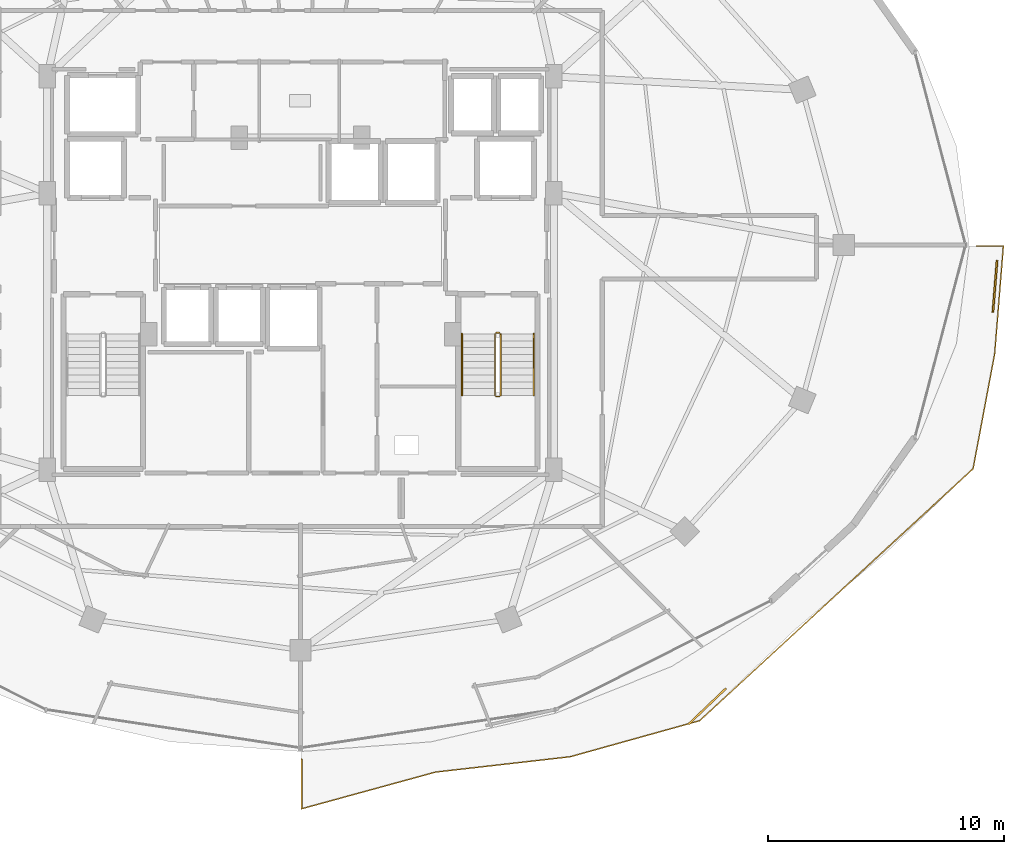
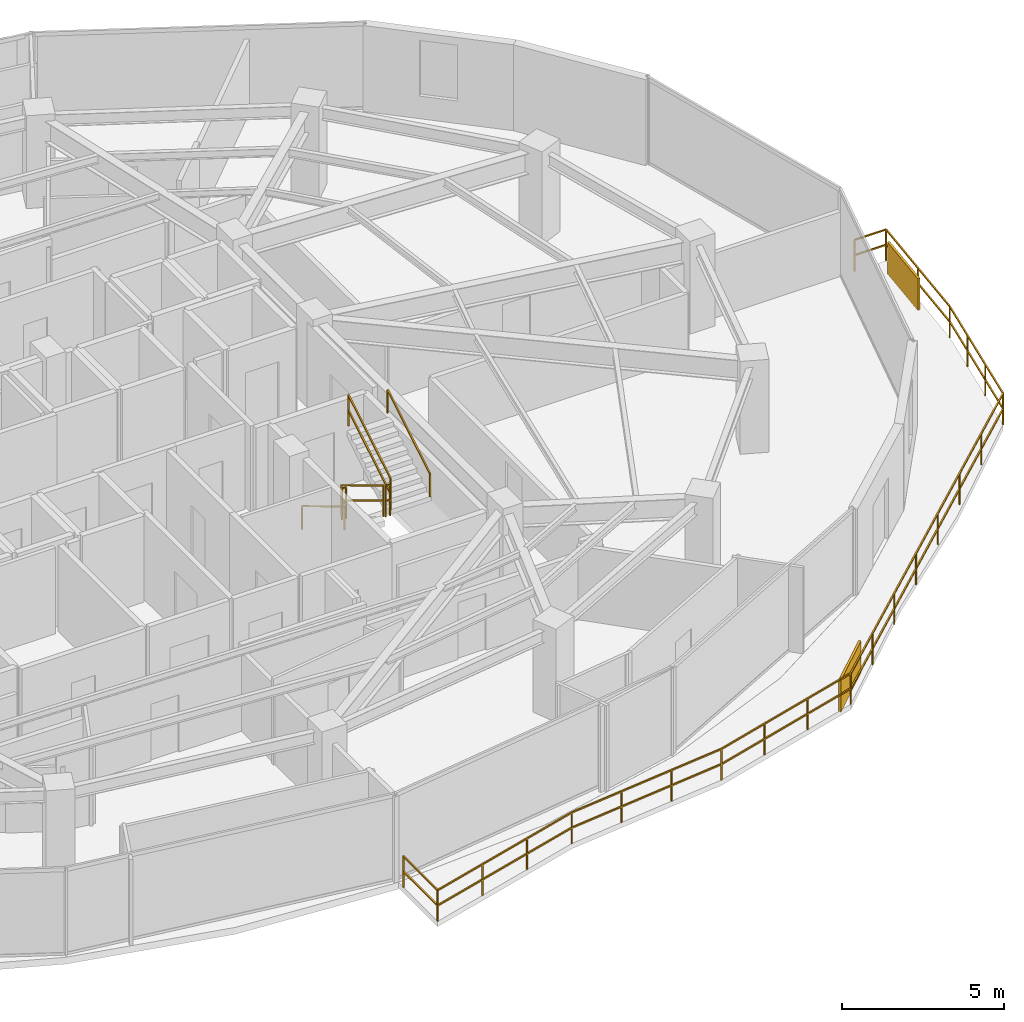
# One storey, part 31 of 33: 8 railings, 2 shading devices.
"""IFC4 building model written with IfcOpenShell, lengths in metres."""

from ifc_helpers import new_model, si_unit, direction, frame, origin, origin_2d, place, context, subcontext, project, spatial, rectangle, extrude, material, type_object, element, save


model = new_model("IFC4")

# Units and contexts
model_context = context("Model", 3, precision=1e-05, world=origin(), true_north=direction((0.0, 1.0)))
body_context = subcontext(model_context, "Body", "Model", "MODEL_VIEW")
ifc_project = project(units=[si_unit("LENGTHUNIT", "METRE"), si_unit("AREAUNIT", "SQUARE_METRE"), si_unit("VOLUMEUNIT", "CUBIC_METRE"), si_unit("PLANEANGLEUNIT", "RADIAN"), si_unit("MASSUNIT", "GRAM", prefix="KILO")], contexts=[model_context])

# Site, building, storey
site_placement = place(None, origin())
site = spatial("IfcSite", under=ifc_project, at=site_placement, CompositionType="ELEMENT")
building_placement = place(site_placement, origin())
building = spatial("IfcBuilding", under=site, at=building_placement, Name="Vorneva Point Tower", CompositionType="ELEMENT")
storey_placement = place(building_placement, frame((0.0, 0.0, 196.60009765625)))
storey = spatial("IfcBuildingStorey", under=building, at=storey_placement, Name="L53", CompositionType="ELEMENT", Elevation=196.60009765625)

# Railings
ifc_material_1 = material(Name="Pale anodised aluminium", Category="aluminium")
railing_type_1 = type_object("IfcRailingType", Name="RL-BAL-1200", PredefinedType="BALUSTRADE", material=ifc_material_1)
railing_1_placement = place(storey_placement, frame((67.461669921875, 21.37841796875, 0.0)))
element("IfcRailing", 1, at=railing_1_placement, inside=storey, type_object=railing_type_1, Name="L53 Wave Balcony Balustrade SE.1", PredefinedType="BALUSTRADE", context=body_context, shape_type="SweptSolid", body=[
    extrude(rectangle(XDim=0.048095703125, YDim=0.048095703125, at=origin_2d()), frame((0.0, 0.0, 1.17578125), z_axis=(0.080538585154, 0.996751491748, 0.0), x_axis=(-0.996751491748, 0.080538585154, 0.0)), (0.0, 0.0, 1.0), 4.58642578125),
    extrude(rectangle(XDim=0.048095703125, YDim=0.048095703125, at=origin_2d()), frame((0.0, 0.0, 0.60009765625), z_axis=(0.080538585154, 0.996751491748, 0.0), x_axis=(-0.996751491748, 0.080538585154, 0.0)), (0.0, 0.0, 1.0), 4.58642578125),
    extrude(rectangle(XDim=0.048095703125, YDim=0.048095703125, at=origin_2d()), frame((0.369384765625, 4.571533203125, 1.17578125), z_axis=(-1.0, 0.0, 0.0), x_axis=(0.0, -1.0, 0.0)), (0.0, 0.0, 1.0), 1.134765625),
    extrude(rectangle(XDim=0.048095703125, YDim=0.048095703125, at=origin_2d()), frame((0.369384765625, 4.571533203125, 0.60009765625), z_axis=(-1.0, 0.0, 0.0), x_axis=(0.0, -1.0, 0.0)), (0.0, 0.0, 1.0), 1.134765625),
    extrude(rectangle(XDim=0.0419921875, YDim=0.0419921875, at=origin_2d()), origin(), (0.0, 0.0, 1.0), 1.15185546875),
    extrude(rectangle(XDim=0.0419921875, YDim=0.0419921875, at=origin_2d()), frame((0.1845703125, 2.28564453125, 0.0)), (0.0, 0.0, 1.0), 1.15185546875),
    extrude(rectangle(XDim=0.0419921875, YDim=0.0419921875, at=origin_2d()), frame((0.369384765625, 4.571533203125, 0.0)), (0.0, 0.0, 1.0), 1.15185546875),
    extrude(rectangle(XDim=0.0419921875, YDim=0.0419921875, at=origin_2d()), frame((-0.765380859375, 4.571533203125, 0.0)), (0.0, 0.0, 1.0), 1.15185546875),
])
railing_2_placement = place(storey_placement, frame((38.050048828125, 4.182861328125, 0.0)))
element("IfcRailing", 2, at=railing_2_placement, inside=storey, type_object=railing_type_1, Name="L53 Wave Balcony Balustrade SE.2", PredefinedType="BALUSTRADE", context=body_context, shape_type="SweptSolid", body=[
    extrude(rectangle(XDim=0.048095703125, YDim=0.048095703125, at=origin_2d()), frame((0.0, 0.0, 1.17578125), z_axis=(0.0, -1.0, 0.0), x_axis=(1.0, 0.0, 0.0)), (0.0, 0.0, 1.0), 2.1142578125),
    extrude(rectangle(XDim=0.048095703125, YDim=0.048095703125, at=origin_2d()), frame((0.0, 0.0, 0.60009765625), z_axis=(0.0, -1.0, 0.0), x_axis=(1.0, 0.0, 0.0)), (0.0, 0.0, 1.0), 2.1142578125),
    extrude(rectangle(XDim=0.048095703125, YDim=0.048095703125, at=origin_2d()), frame((0.0, -2.1142578125, 1.17578125), z_axis=(0.964480133149, 0.264155395099, 0.0), x_axis=(-0.264155395099, 0.964480133149, 0.0)), (0.0, 0.0, 1.0), 5.89013671875),
    extrude(rectangle(XDim=0.048095703125, YDim=0.048095703125, at=origin_2d()), frame((0.0, -2.1142578125, 0.60009765625), z_axis=(0.964480133149, 0.264155395099, 0.0), x_axis=(-0.264155395099, 0.964480133149, 0.0)), (0.0, 0.0, 1.0), 5.89013671875),
    extrude(rectangle(XDim=0.048095703125, YDim=0.048095703125, at=origin_2d()), frame((5.680908203125, -0.558349609375, 1.17578125), z_axis=(0.993563835957, 0.113273579794, 0.0), x_axis=(-0.113273579794, 0.993563835957, 0.0)), (0.0, 0.0, 1.0), 5.75048828125),
    extrude(rectangle(XDim=0.048095703125, YDim=0.048095703125, at=origin_2d()), frame((5.680908203125, -0.558349609375, 0.60009765625), z_axis=(0.993563835957, 0.113273579794, 0.0), x_axis=(-0.113273579794, 0.993563835957, 0.0)), (0.0, 0.0, 1.0), 5.75048828125),
    extrude(rectangle(XDim=0.048095703125, YDim=0.048095703125, at=origin_2d()), frame((11.394287109375, 0.093017578125, 1.17578125), z_axis=(0.963324519058, 0.268339097005, 0.0), x_axis=(-0.268339097005, 0.963324519058, 0.0)), (0.0, 0.0, 1.0), 5.70458984375),
    extrude(rectangle(XDim=0.048095703125, YDim=0.048095703125, at=origin_2d()), frame((11.394287109375, 0.093017578125, 0.60009765625), z_axis=(0.963324519058, 0.268339097005, 0.0), x_axis=(-0.268339097005, 0.963324519058, 0.0)), (0.0, 0.0, 1.0), 5.70458984375),
    extrude(rectangle(XDim=0.048095703125, YDim=0.048095703125, at=origin_2d()), frame((16.8896484375, 1.623779296875, 1.17578125), z_axis=(0.735377309745, 0.677657887368, 0.0), x_axis=(-0.677657887368, 0.735377309745, 0.0)), (0.0, 0.0, 1.0), 15.78125),
    extrude(rectangle(XDim=0.048095703125, YDim=0.048095703125, at=origin_2d()), frame((16.8896484375, 1.623779296875, 0.60009765625), z_axis=(0.735377309745, 0.677657887368, 0.0), x_axis=(-0.677657887368, 0.735377309745, 0.0)), (0.0, 0.0, 1.0), 15.78125),
    extrude(rectangle(XDim=0.048095703125, YDim=0.048095703125, at=origin_2d()), frame((28.494873046875, 12.318115234375, 1.17578125), z_axis=(0.184722163798, 0.982790782518, 0.0), x_axis=(-0.982790782518, 0.184722163798, 0.0)), (0.0, 0.0, 1.0), 4.962890625),
    extrude(rectangle(XDim=0.048095703125, YDim=0.048095703125, at=origin_2d()), frame((28.494873046875, 12.318115234375, 0.60009765625), z_axis=(0.184722163798, 0.982790782518, 0.0), x_axis=(-0.982790782518, 0.184722163798, 0.0)), (0.0, 0.0, 1.0), 4.962890625),
    extrude(rectangle(XDim=0.0419921875, YDim=0.0419921875, at=origin_2d()), origin(), (0.0, 0.0, 1.0), 1.15185546875),
    extrude(rectangle(XDim=0.0419921875, YDim=0.0419921875, at=origin_2d()), frame((0.0, -2.1142578125, 0.0)), (0.0, 0.0, 1.0), 1.15185546875),
    extrude(rectangle(XDim=0.0419921875, YDim=0.0419921875, at=origin_2d()), frame((1.8935546875, -1.595703125, 0.0)), (0.0, 0.0, 1.0), 1.15185546875),
    extrude(rectangle(XDim=0.0419921875, YDim=0.0419921875, at=origin_2d()), frame((3.787353515625, -1.076904296875, 0.0)), (0.0, 0.0, 1.0), 1.15185546875),
    extrude(rectangle(XDim=0.0419921875, YDim=0.0419921875, at=origin_2d()), frame((5.680908203125, -0.558349609375, 0.0)), (0.0, 0.0, 1.0), 1.15185546875),
    extrude(rectangle(XDim=0.0419921875, YDim=0.0419921875, at=origin_2d()), frame((7.58544921875, -0.34130859375, 0.0)), (0.0, 0.0, 1.0), 1.15185546875),
    extrude(rectangle(XDim=0.0419921875, YDim=0.0419921875, at=origin_2d()), frame((9.48974609375, -0.1240234375, 0.0)), (0.0, 0.0, 1.0), 1.15185546875),
    extrude(rectangle(XDim=0.0419921875, YDim=0.0419921875, at=origin_2d()), frame((11.394287109375, 0.093017578125, 0.0)), (0.0, 0.0, 1.0), 1.15185546875),
    extrude(rectangle(XDim=0.0419921875, YDim=0.0419921875, at=origin_2d()), frame((13.22607421875, 0.603271484375, 0.0)), (0.0, 0.0, 1.0), 1.15185546875),
    extrude(rectangle(XDim=0.0419921875, YDim=0.0419921875, at=origin_2d()), frame((15.057861328125, 1.113525390625, 0.0)), (0.0, 0.0, 1.0), 1.15185546875),
    extrude(rectangle(XDim=0.0419921875, YDim=0.0419921875, at=origin_2d()), frame((16.8896484375, 1.623779296875, 0.0)), (0.0, 0.0, 1.0), 1.15185546875),
    extrude(rectangle(XDim=0.0419921875, YDim=0.0419921875, at=origin_2d()), frame((18.547607421875, 3.151611328125, 0.0)), (0.0, 0.0, 1.0), 1.15185546875),
    extrude(rectangle(XDim=0.0419921875, YDim=0.0419921875, at=origin_2d()), frame((20.205322265625, 4.67919921875, 0.0)), (0.0, 0.0, 1.0), 1.15185546875),
    extrude(rectangle(XDim=0.0419921875, YDim=0.0419921875, at=origin_2d()), frame((21.86328125, 6.20703125, 0.0)), (0.0, 0.0, 1.0), 1.15185546875),
    extrude(rectangle(XDim=0.0419921875, YDim=0.0419921875, at=origin_2d()), frame((23.521240234375, 7.73486328125, 0.0)), (0.0, 0.0, 1.0), 1.15185546875),
    extrude(rectangle(XDim=0.0419921875, YDim=0.0419921875, at=origin_2d()), frame((25.17919921875, 9.2626953125, 0.0)), (0.0, 0.0, 1.0), 1.15185546875),
    extrude(rectangle(XDim=0.0419921875, YDim=0.0419921875, at=origin_2d()), frame((26.8369140625, 10.790283203125, 0.0)), (0.0, 0.0, 1.0), 1.15185546875),
    extrude(rectangle(XDim=0.0419921875, YDim=0.0419921875, at=origin_2d()), frame((28.494873046875, 12.318115234375, 0.0)), (0.0, 0.0, 1.0), 1.15185546875),
    extrude(rectangle(XDim=0.0419921875, YDim=0.0419921875, at=origin_2d()), frame((28.800537109375, 13.94384765625, 0.0)), (0.0, 0.0, 1.0), 1.15185546875),
    extrude(rectangle(XDim=0.0419921875, YDim=0.0419921875, at=origin_2d()), frame((29.10595703125, 15.56982421875, 0.0)), (0.0, 0.0, 1.0), 1.15185546875),
    extrude(rectangle(XDim=0.0419921875, YDim=0.0419921875, at=origin_2d()), frame((29.41162109375, 17.195556640625, 0.0)), (0.0, 0.0, 1.0), 1.15185546875),
])
ifc_material_2 = material(Name="Brushed stainless steel S304", Category="steel")
railing_type_2 = type_object("IfcRailingType", Name="RL-HND-920", PredefinedType="HANDRAIL", material=ifc_material_2)
railing_3_placement = place(storey_placement, frame((44.85009765625, 22.219970703125, 0.1748046875)))
element("IfcRailing", 3, at=railing_3_placement, inside=storey, type_object=railing_type_2, Name="L53 ST2 stair handrail 1", PredefinedType="HANDRAIL", context=body_context, shape_type="SweptSolid", body=[
    extrude(rectangle(XDim=0.048095703125, YDim=0.048095703125, at=origin_2d()), frame((0.0, 0.0, 0.8759765625), z_axis=(0.0, -0.856147343639, 0.516731773728), x_axis=(1.0, 0.0, 0.0)), (0.0, 0.0, 1.0), 3.04833984375),
    extrude(rectangle(XDim=0.0419921875, YDim=0.0419921875, at=origin_2d()), origin(), (0.0, 0.0, 1.0), 0.851806640625),
    extrude(rectangle(XDim=0.0419921875, YDim=0.0419921875, at=origin_2d()), frame((0.0, -2.60986328125, 1.5751953125)), (0.0, 0.0, 1.0), 0.851806640625),
])
railing_4_placement = place(storey_placement, frame((47.89990234375, 19.610107421875, 1.9248046875)))
element("IfcRailing", 4, at=railing_4_placement, inside=storey, type_object=railing_type_2, Name="L53 ST2 stair handrail 2", PredefinedType="HANDRAIL", context=body_context, shape_type="SweptSolid", body=[
    extrude(rectangle(XDim=0.048095703125, YDim=0.048095703125, at=origin_2d()), frame((0.0, 0.0, 0.8759765625), z_axis=(0.0, 0.856147343639, 0.516731773728), x_axis=(-1.0, 0.0, 0.0)), (0.0, 0.0, 1.0), 3.04833984375),
    extrude(rectangle(XDim=0.0419921875, YDim=0.0419921875, at=origin_2d()), origin(), (0.0, 0.0, 1.0), 0.851806640625),
    extrude(rectangle(XDim=0.0419921875, YDim=0.0419921875, at=origin_2d()), frame((0.0, 2.60986328125, 1.5751953125)), (0.0, 0.0, 1.0), 0.851806640625),
])
railing_type_3 = type_object("IfcRailingType", Name="RL-STG-1100", PredefinedType="GUARDRAIL", material=ifc_material_2)
railing_5_placement = place(storey_placement, frame((46.25, 22.219970703125, 0.1748046875)))
element("IfcRailing", 5, at=railing_5_placement, inside=storey, type_object=railing_type_3, Name="L53 ST2 stair guard 1", PredefinedType="GUARDRAIL", context=body_context, shape_type="SweptSolid", body=[
    extrude(rectangle(XDim=0.048095703125, YDim=0.048095703125, at=origin_2d()), frame((0.0, 0.0, 1.17578125), z_axis=(0.0, -0.856147343639, 0.516731773728), x_axis=(1.0, 0.0, 0.0)), (0.0, 0.0, 1.0), 3.04833984375),
    extrude(rectangle(XDim=0.048095703125, YDim=0.048095703125, at=origin_2d()), frame((0.0, 0.0, 0.60009765625), z_axis=(0.0, -0.856147343639, 0.516731773728), x_axis=(1.0, 0.0, 0.0)), (0.0, 0.0, 1.0), 3.04833984375),
    extrude(rectangle(XDim=0.0419921875, YDim=0.0419921875, at=origin_2d()), origin(), (0.0, 0.0, 1.0), 1.15185546875),
    extrude(rectangle(XDim=0.0419921875, YDim=0.0419921875, at=origin_2d()), frame((0.0, -2.60986328125, 1.5751953125)), (0.0, 0.0, 1.0), 1.15185546875),
])
railing_6_placement = place(storey_placement, frame((46.300048828125, 19.56005859375, 1.75)))
element("IfcRailing", 6, at=railing_6_placement, inside=storey, type_object=railing_type_3, Name="L53 ST2 stair guard 2", PredefinedType="GUARDRAIL", context=body_context, shape_type="SweptSolid", body=[
    extrude(rectangle(XDim=0.048095703125, YDim=0.048095703125, at=origin_2d()), frame((0.0, 0.0, 1.17578125), z_axis=(1.0, 0.0, 0.0), x_axis=(0.0, 1.0, 0.0)), (0.0, 0.0, 1.0), 0.14990234375),
    extrude(rectangle(XDim=0.048095703125, YDim=0.048095703125, at=origin_2d()), frame((0.0, 0.0, 0.60009765625), z_axis=(1.0, 0.0, 0.0), x_axis=(0.0, 1.0, 0.0)), (0.0, 0.0, 1.0), 0.14990234375),
    extrude(rectangle(XDim=0.0419921875, YDim=0.0419921875, at=origin_2d()), origin(), (0.0, 0.0, 1.0), 1.15185546875),
    extrude(rectangle(XDim=0.0419921875, YDim=0.0419921875, at=origin_2d()), frame((0.14990234375, 0.0, 0.0)), (0.0, 0.0, 1.0), 1.15185546875),
])
railing_7_placement = place(storey_placement, frame((46.5, 19.610107421875, 1.9248046875)))
element("IfcRailing", 7, at=railing_7_placement, inside=storey, type_object=railing_type_3, Name="L53 ST2 stair guard 3", PredefinedType="GUARDRAIL", context=body_context, shape_type="SweptSolid", body=[
    extrude(rectangle(XDim=0.048095703125, YDim=0.048095703125, at=origin_2d()), frame((0.0, 0.0, 1.17578125), z_axis=(0.0, 0.856147343639, 0.516731773728), x_axis=(-1.0, 0.0, 0.0)), (0.0, 0.0, 1.0), 3.04833984375),
    extrude(rectangle(XDim=0.048095703125, YDim=0.048095703125, at=origin_2d()), frame((0.0, 0.0, 0.60009765625), z_axis=(0.0, 0.856147343639, 0.516731773728), x_axis=(-1.0, 0.0, 0.0)), (0.0, 0.0, 1.0), 3.04833984375),
    extrude(rectangle(XDim=0.0419921875, YDim=0.0419921875, at=origin_2d()), origin(), (0.0, 0.0, 1.0), 1.15185546875),
    extrude(rectangle(XDim=0.0419921875, YDim=0.0419921875, at=origin_2d()), frame((0.0, 2.60986328125, 1.5751953125)), (0.0, 0.0, 1.0), 1.15185546875),
])
railing_8_placement = place(storey_placement, frame((46.300048828125, 22.27001953125, 0.0)))
element("IfcRailing", 8, at=railing_8_placement, inside=storey, type_object=railing_type_3, Name="L53 ST2 stair guard 4", PredefinedType="GUARDRAIL", context=body_context, shape_type="SweptSolid", body=[
    extrude(rectangle(XDim=0.048095703125, YDim=0.048095703125, at=origin_2d()), frame((0.0, 0.0, 1.17578125), z_axis=(1.0, 0.0, 0.0), x_axis=(0.0, 1.0, 0.0)), (0.0, 0.0, 1.0), 0.14990234375),
    extrude(rectangle(XDim=0.048095703125, YDim=0.048095703125, at=origin_2d()), frame((0.0, 0.0, 0.60009765625), z_axis=(1.0, 0.0, 0.0), x_axis=(0.0, 1.0, 0.0)), (0.0, 0.0, 1.0), 0.14990234375),
    extrude(rectangle(XDim=0.0419921875, YDim=0.0419921875, at=origin_2d()), origin(), (0.0, 0.0, 1.0), 1.15185546875),
    extrude(rectangle(XDim=0.0419921875, YDim=0.0419921875, at=origin_2d()), frame((0.14990234375, 0.0, 0.0)), (0.0, 0.0, 1.0), 1.15185546875),
])

# Shading devices
shading_device_type = type_object("IfcShadingDeviceType", Name="SHD-JAL-1200", PredefinedType="JALOUSIE", material=ifc_material_1)
for number, where, z_axis, x_axis, name in (
    (9, (67.472412109375, 24.242919921875, -0.02001953125), (0.0, 0.0, 1.0), (0.080512067686, 0.996753634032, 0.0), "L53 Balcony Vertical-Greenery Planter Screen SE.1"),
    (10, (55.26123046875, 6.41796875, -0.02001953125), (0.0, 0.0, 1.0), (0.722774186958, 0.691084274649, 0.0), "L53 Balcony Vertical-Greenery Planter Screen SE.2"),
):
    element("IfcShadingDevice", number, at=place(storey_placement, frame(where, z_axis=z_axis, x_axis=x_axis)), inside=storey, type_object=shading_device_type, Name=name, PredefinedType="JALOUSIE", context=body_context, shape_type="SweptSolid", body=[
        extrude(rectangle(XDim=2.199951171875, YDim=0.080078125, at=origin_2d()), origin(), (0.0, 0.0, 1.0), 1.199951171875),
    ])

save(model, "model.ifc")
